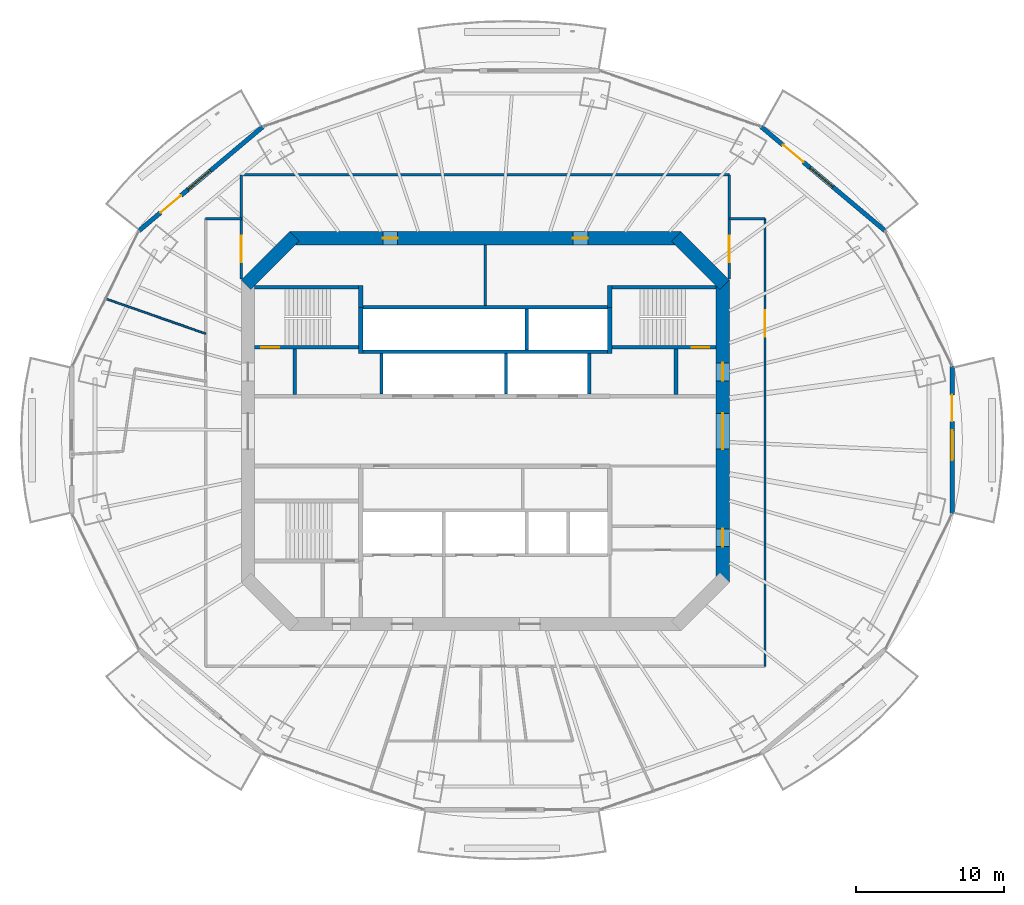
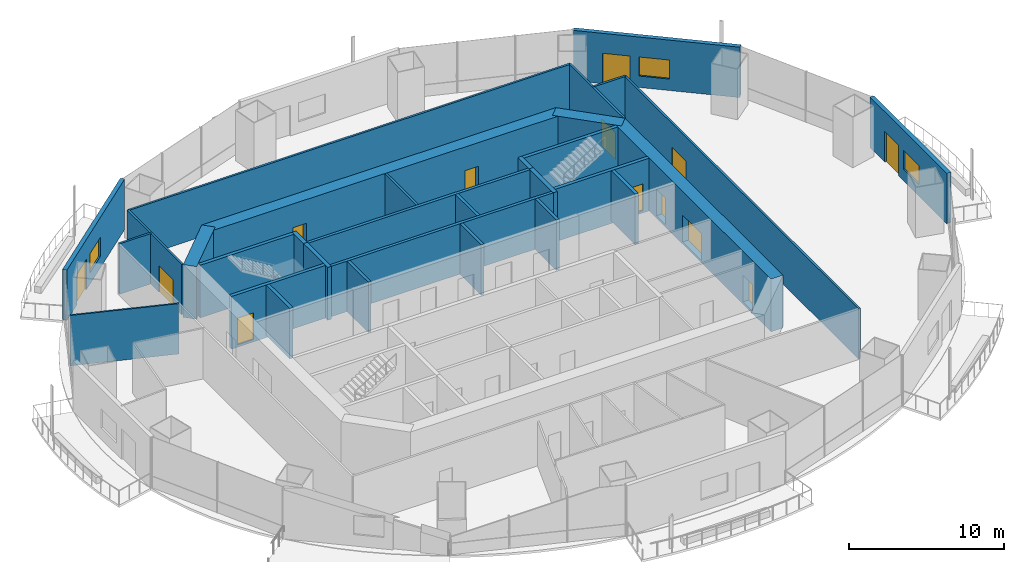
# One storey, part 12 of 19: 31 walls, 13 doors, 3 windows, 16 openings.
"""IFC4 building model written with IfcOpenShell, lengths in metres."""

from ifc_helpers import new_model, si_unit, direction, frame, frame_2d, origin, place, context, subcontext, project, spatial, rectangle, extrude, material, layer, layer_set, type_object, element, fill, save


model = new_model("IFC4")

# Units and contexts
model_context = context("Model", 3, precision=1e-05, world=origin(), true_north=direction((0.0, 1.0)))
body_context = subcontext(model_context, "Body", "Model", "MODEL_VIEW")
ifc_project = project(units=[si_unit("LENGTHUNIT", "METRE"), si_unit("AREAUNIT", "SQUARE_METRE"), si_unit("VOLUMEUNIT", "CUBIC_METRE"), si_unit("PLANEANGLEUNIT", "RADIAN"), si_unit("MASSUNIT", "GRAM", prefix="KILO")], contexts=[model_context])

# Site, building, storey
site_placement = place(None, origin())
site = spatial("IfcSite", under=ifc_project, at=site_placement, CompositionType="ELEMENT")
building_placement = place(site_placement, origin())
building = spatial("IfcBuilding", under=site, at=building_placement, Name="Marenthal Gate Tower", CompositionType="ELEMENT")
storey_placement = place(building_placement, frame((0.0, 0.0, 239.89990234375)))
storey = spatial("IfcBuildingStorey", under=building, at=storey_placement, Name="L53", CompositionType="ELEMENT", Elevation=239.89990234375)

# Wall, openings, doors
ifc_material_1 = material(Name="Concrete 60 MPa", Category="concrete")
ifc_layer_1 = layer(ifc_material_1, 0.89990234375)
ifc_layer_set_1 = layer_set([ifc_layer_1], Name="Core shear wall 900")
wall_type_1 = type_object("IfcWallType", Name="Core shear wall 900", PredefinedType="SHEAR", material=ifc_layer_set_1)
wall_1_placement = place(storey_placement, frame((16.0, -10.186279296875, -0.179931640625), z_axis=(0.0, 0.0, 1.0), x_axis=(0.0, 1.0, 0.0)))
wall_1 = element("IfcWall", 1, at=wall_1_placement, inside=storey, type_object=wall_type_1, Name="Core wall 02", PredefinedType="SHEAR", context=body_context, shape_type="SweptSolid", body=[
    extrude(rectangle(XDim=20.37255859375, YDim=0.89990234375, at=frame_2d((10.186279296875, 0.0))), origin(), (0.0, 0.0, 1.0), 4.150146484375),
])
opening_1_placement = place(wall_1_placement, frame((8.986328125, 0.0, 0.179931640625)))
opening_1 = element("IfcOpeningElement", 2, at=opening_1_placement, cuts=wall_1, Name="Opening D003.02", PredefinedType="OPENING", context=body_context, shape_type="SweptSolid", body=[
    extrude(rectangle(XDim=2.39990234375, YDim=2.10009765625, at=frame_2d((1.199951171875, 1.050048828125))), frame((0.0, 0.4599609375, 0.0), z_axis=(0.0, -1.0, 0.0), x_axis=(1.0, 0.0, 0.0)), (0.0, 0.0, 1.0), 0.919921875),
])
opening_2_placement = place(wall_1_placement, frame((13.58642578125, 0.0, 0.179931640625)))
opening_2 = element("IfcOpeningElement", 3, at=opening_2_placement, cuts=wall_1, Name="Opening D001.05", PredefinedType="OPENING", context=body_context, shape_type="SweptSolid", body=[
    extrude(rectangle(XDim=1.199951171875, YDim=2.10009765625, at=frame_2d((0.60009765625, 1.050048828125))), frame((0.0, 0.4599609375, 0.0), z_axis=(0.0, -1.0, 0.0), x_axis=(1.0, 0.0, 0.0)), (0.0, 0.0, 1.0), 0.919921875),
])
opening_3_placement = place(wall_1_placement, frame((2.39990234375, 0.0, 0.179931640625)))
opening_3 = element("IfcOpeningElement", 4, at=opening_3_placement, cuts=wall_1, Name="Opening D006.01", PredefinedType="OPENING", context=body_context, shape_type="SweptSolid", body=[
    extrude(rectangle(XDim=1.199951171875, YDim=2.10009765625, at=frame_2d((0.60009765625, 1.050048828125))), frame((0.0, 0.4599609375, 0.0), z_axis=(0.0, -1.0, 0.0), x_axis=(1.0, 0.0, 0.0)), (0.0, 0.0, 1.0), 0.919921875),
])
ifc_material_2 = material(Name="Steel fire door", Category="steel")
door_type_1 = type_object("IfcDoorType", Name="Double fire door FD 45 2400 x 2100", OperationType="DOUBLE_DOOR_SINGLE_SWING", PredefinedType="DOOR", material=ifc_material_2)
door_1_placement = place(opening_1_placement, origin())
door_1 = element("IfcDoor", 5, at=door_1_placement, inside=storey, type_object=door_type_1, Name="Door D003.02", OperationType="DOUBLE_DOOR_SINGLE_SWING", OverallHeight=2.10009765625, OverallWidth=2.39990234375, PredefinedType="DOOR", context=body_context, shape_type="SweptSolid", body=[
    extrude(rectangle(XDim=2.39990234375, YDim=2.10009765625, at=frame_2d((1.199951171875, 1.050048828125))), frame((0.0, 0.02490234375, 0.0), z_axis=(0.0, -1.0, 0.0), x_axis=(1.0, 0.0, 0.0)), (0.0, 0.0, 1.0), 0.050048828125),
])
fill(opening_1, door_1)
ifc_material_3 = material(Name="Steel fire door", Category="steel")
door_type_2 = type_object("IfcDoorType", Name="Fire door FD 45 1200 x 2100", OperationType="NOTDEFINED", PredefinedType="DOOR", material=ifc_material_3)
door_2_placement = place(opening_3_placement, origin())
door_2 = element("IfcDoor", 6, at=door_2_placement, inside=storey, type_object=door_type_2, Name="Door D006.01", OperationType="SINGLE_SWING_RIGHT", OverallHeight=2.10009765625, OverallWidth=1.199951171875, PredefinedType="DOOR", context=body_context, shape_type="SweptSolid", body=[
    extrude(rectangle(XDim=1.199951171875, YDim=2.10009765625, at=frame_2d((0.60009765625, 1.050048828125))), frame((0.0, 0.02490234375, 0.0), z_axis=(0.0, -1.0, 0.0), x_axis=(1.0, 0.0, 0.0)), (0.0, 0.0, 1.0), 0.050048828125),
])
fill(opening_3, door_2)
ifc_material_4 = material(Name="Steel fire door", Category="steel")
door_type_3 = type_object("IfcDoorType", Name="Fire door FD 90 1200 x 2100", OperationType="NOTDEFINED", PredefinedType="DOOR", material=ifc_material_4)
door_3_placement = place(opening_2_placement, origin())
door_3 = element("IfcDoor", 7, at=door_3_placement, inside=storey, type_object=door_type_3, Name="Door D001.05", OperationType="SINGLE_SWING_RIGHT", OverallHeight=2.10009765625, OverallWidth=1.199951171875, PredefinedType="DOOR", context=body_context, shape_type="SweptSolid", body=[
    extrude(rectangle(XDim=1.199951171875, YDim=2.10009765625, at=frame_2d((0.60009765625, 1.050048828125))), frame((0.0, 0.02490234375, 0.0), z_axis=(0.0, -1.0, 0.0), x_axis=(1.0, 0.0, 0.0)), (0.0, 0.0, 1.0), 0.050048828125),
])
fill(opening_2, door_3)

# Wall
wall_2_placement = place(storey_placement, frame((16.1318359375, 9.8681640625, -0.179931640625), z_axis=(0.0, 0.0, 1.0), x_axis=(-0.707106781187, 0.707106781187, 0.0)))
element("IfcWall", 8, at=wall_2_placement, inside=storey, type_object=wall_type_1, Name="Core wall 03", PredefinedType="SHEAR", context=body_context, shape_type="SweptSolid", body=[
    extrude(rectangle(XDim=4.615478515625, YDim=0.89990234375, at=frame_2d((2.3076171875, 0.0))), origin(), (0.0, 0.0, 1.0), 4.150146484375),
])

# Wall, openings, doors
wall_3_placement = place(storey_placement, frame((13.186279296875, 13.0, -0.179931640625), z_axis=(0.0, 0.0, 1.0), x_axis=(-1.0, 0.0, 0.0)))
wall_3 = element("IfcWall", 9, at=wall_3_placement, inside=storey, type_object=wall_type_1, Name="Core wall 04", PredefinedType="SHEAR", context=body_context, shape_type="SweptSolid", body=[
    extrude(rectangle(XDim=26.37255859375, YDim=0.89990234375, at=frame_2d((13.186279296875, 0.0))), origin(), (0.0, 0.0, 1.0), 4.150146484375),
])
opening_4_placement = place(wall_3_placement, frame((19.093505859375, 0.0, 0.179931640625)))
opening_4 = element("IfcOpeningElement", 10, at=opening_4_placement, cuts=wall_3, Name="Opening D005.03", PredefinedType="OPENING", context=body_context, shape_type="SweptSolid", body=[
    extrude(rectangle(XDim=1.0, YDim=2.10009765625, at=frame_2d((0.5, 1.050048828125))), frame((0.0, 0.4599609375, 0.0), z_axis=(0.0, -1.0, 0.0), x_axis=(1.0, 0.0, 0.0)), (0.0, 0.0, 1.0), 0.919921875),
])
opening_5_placement = place(wall_3_placement, frame((6.279296875, 0.0, 0.179931640625)))
opening_5 = element("IfcOpeningElement", 11, at=opening_5_placement, cuts=wall_3, Name="Opening D005.04", PredefinedType="OPENING", context=body_context, shape_type="SweptSolid", body=[
    extrude(rectangle(XDim=1.0, YDim=2.10009765625, at=frame_2d((0.5, 1.050048828125))), frame((0.0, 0.4599609375, 0.0), z_axis=(0.0, -1.0, 0.0), x_axis=(1.0, 0.0, 0.0)), (0.0, 0.0, 1.0), 0.919921875),
])
ifc_material_5 = material(Name="Steel fire door", Category="steel")
door_type_4 = type_object("IfcDoorType", Name="Fire door FD 45 1000 x 2100", OperationType="NOTDEFINED", PredefinedType="DOOR", material=ifc_material_5)
door_4_placement = place(opening_4_placement, origin())
door_4 = element("IfcDoor", 12, at=door_4_placement, inside=storey, type_object=door_type_4, Name="Door D005.03", OperationType="SINGLE_SWING_RIGHT", OverallHeight=2.10009765625, OverallWidth=1.0, PredefinedType="DOOR", context=body_context, shape_type="SweptSolid", body=[
    extrude(rectangle(XDim=1.0, YDim=2.10009765625, at=frame_2d((0.5, 1.050048828125))), frame((0.0, 0.02490234375, 0.0), z_axis=(0.0, -1.0, 0.0), x_axis=(1.0, 0.0, 0.0)), (0.0, 0.0, 1.0), 0.050048828125),
])
fill(opening_4, door_4)
door_5_placement = place(opening_5_placement, origin())
door_5 = element("IfcDoor", 13, at=door_5_placement, inside=storey, type_object=door_type_4, Name="Door D005.04", OperationType="SINGLE_SWING_RIGHT", OverallHeight=2.10009765625, OverallWidth=1.0, PredefinedType="DOOR", context=body_context, shape_type="SweptSolid", body=[
    extrude(rectangle(XDim=1.0, YDim=2.10009765625, at=frame_2d((0.5, 1.050048828125))), frame((0.0, 0.02490234375, 0.0), z_axis=(0.0, -1.0, 0.0), x_axis=(1.0, 0.0, 0.0)), (0.0, 0.0, 1.0), 0.050048828125),
])
fill(opening_5, door_5)

# Walls
wall_4_placement = place(storey_placement, frame((-12.8681640625, 13.1318359375, -0.179931640625), z_axis=(0.0, 0.0, 1.0), x_axis=(-0.707106781187, -0.707106781187, 0.0)))
element("IfcWall", 14, at=wall_4_placement, inside=storey, type_object=wall_type_1, Name="Core wall 05", PredefinedType="SHEAR", context=body_context, shape_type="SweptSolid", body=[
    extrude(rectangle(XDim=4.615478515625, YDim=0.89990234375, at=frame_2d((2.3076171875, 0.0))), origin(), (0.0, 0.0, 1.0), 4.150146484375),
])
ifc_material_6 = material(Name="Concrete 50 MPa", Category="concrete")
ifc_layer_2 = layer(ifc_material_6, 0.300048828125)
ifc_layer_set_2 = layer_set([ifc_layer_2], Name="Hoistway shear wall 300")
wall_type_2 = type_object("IfcWallType", Name="Hoistway shear wall 300", PredefinedType="SHEAR", material=ifc_layer_set_2)
for number, where, z_axis, x_axis, name in (
    (15, (-8.39990234375, 5.239990234375, -0.179931640625), (0.0, 0.0, 1.0), (0.0, 1.0, 0.0), "Hoistway wall 32"),
    (16, (8.39990234375, 5.239990234375, -0.179931640625), (0.0, 0.0, 1.0), (0.0, 1.0, 0.0), "Hoistway wall 46"),
):
    element("IfcWall", number, at=place(storey_placement, frame(where, z_axis=z_axis, x_axis=x_axis)), inside=storey, type_object=wall_type_2, Name=name, PredefinedType="SHEAR", context=body_context, shape_type="SweptSolid", body=[
        extrude(rectangle(XDim=3.110107421875, YDim=0.300048828125, at=frame_2d((1.55517578125, 0.0))), origin(), (0.0, 0.0, 1.0), 4.150146484375),
    ])
ifc_material_7 = material(Name="Concrete 40 MPa", Category="concrete")
ifc_layer_3 = layer(ifc_material_7, 0.219970703125)
ifc_layer_set_3 = layer_set([ifc_layer_3], Name="Hoistway wall 220")
wall_type_3 = type_object("IfcWallType", Name="Hoistway wall 220", PredefinedType="STANDARD", material=ifc_layer_set_3)
for number, where, z_axis, x_axis, name in (
    (17, (-8.25, 5.35009765625, 0.0), (0.0, 0.0, 1.0), (1.0, 0.0, 0.0), "Hoistway wall 22"),
    (18, (-8.25, 8.35009765625, 0.0), (0.0, 0.0, 1.0), (1.0, 0.0, 0.0), "Hoistway wall 25"),
):
    element("IfcWall", number, at=place(storey_placement, frame(where, z_axis=z_axis, x_axis=x_axis)), inside=storey, type_object=wall_type_3, Name=name, PredefinedType="STANDARD", context=body_context, shape_type="SweptSolid", body=[
        extrude(rectangle(XDim=16.5, YDim=0.219970703125, at=frame_2d((8.25, 0.0))), origin(), (0.0, 0.0, 1.0), 3.97021484375),
    ])
for number, where, z_axis, x_axis, name in (
    (19, (-7.0, 2.5, 0.0), (0.0, 0.0, 1.0), (0.0, 1.0, 0.0), "Hoistway wall 34"),
    (20, (1.39990234375, 2.5, 0.0), (0.0, 0.0, 1.0), (0.0, 1.0, 0.0), "Hoistway wall 38"),
):
    element("IfcWall", number, at=place(storey_placement, frame(where, z_axis=z_axis, x_axis=x_axis)), inside=storey, type_object=wall_type_3, Name=name, PredefinedType="STANDARD", context=body_context, shape_type="SweptSolid", body=[
        extrude(rectangle(XDim=2.739990234375, YDim=0.219970703125, at=frame_2d((1.3701171875, 0.0))), origin(), (0.0, 0.0, 1.0), 3.97021484375),
    ])
wall_5_placement = place(storey_placement, frame((2.800048828125, 5.4599609375, 0.0), z_axis=(0.0, 0.0, 1.0), x_axis=(0.0, 1.0, 0.0)))
element("IfcWall", 21, at=wall_5_placement, inside=storey, type_object=wall_type_3, Name="Hoistway wall 41", PredefinedType="STANDARD", context=body_context, shape_type="SweptSolid", body=[
    extrude(rectangle(XDim=2.780029296875, YDim=0.219970703125, at=frame_2d((1.39013671875, 0.0))), origin(), (0.0, 0.0, 1.0), 3.97021484375),
])
wall_6_placement = place(storey_placement, frame((7.0, 2.5, 0.0), z_axis=(0.0, 0.0, 1.0), x_axis=(0.0, 1.0, 0.0)))
element("IfcWall", 22, at=wall_6_placement, inside=storey, type_object=wall_type_3, Name="Hoistway wall 43", PredefinedType="STANDARD", context=body_context, shape_type="SweptSolid", body=[
    extrude(rectangle(XDim=2.739990234375, YDim=0.219970703125, at=frame_2d((1.3701171875, 0.0))), origin(), (0.0, 0.0, 1.0), 3.97021484375),
])
ifc_material_8 = material(Name="Gypsum board on steel studs", Category="steel")
ifc_layer_4 = layer(ifc_material_8, 0.1201171875)
ifc_layer_set_4 = layer_set([ifc_layer_4], Name="Partition 120")
wall_type_4 = type_object("IfcWallType", Name="Partition 120", PredefinedType="PARTITIONING", material=ifc_layer_set_4)
wall_7_placement = place(storey_placement, frame((-18.85009765625, 6.576171875, 0.0), z_axis=(0.0, 0.0, 1.0), x_axis=(-0.944186113953, 0.329412480362, 0.0)))
element("IfcWall", 23, at=wall_7_placement, inside=storey, type_object=wall_type_4, Name="Partition wall 53", PredefinedType="PARTITIONING", context=body_context, shape_type="SweptSolid", body=[
    extrude(rectangle(XDim=7.155029296875, YDim=0.1201171875, at=frame_2d((3.57763671875, 0.0))), origin(), (0.0, 0.0, 1.0), 3.97021484375),
])
ifc_material_9 = material(Name="Gypsum board on steel studs", Category="steel")
ifc_layer_5 = layer(ifc_material_9, 0.14990234375)
ifc_layer_set_5 = layer_set([ifc_layer_5], Name="Partition 150")
wall_type_5 = type_object("IfcWallType", Name="Partition 150", PredefinedType="PARTITIONING", material=ifc_layer_set_5)
wall_8_placement = place(storey_placement, frame((0.0, 8.4599609375, 0.0), z_axis=(0.0, 0.0, 1.0), x_axis=(0.0, 1.0, 0.0)))
element("IfcWall", 24, at=wall_8_placement, inside=storey, type_object=wall_type_5, Name="Partition wall 37", PredefinedType="PARTITIONING", context=body_context, shape_type="SweptSolid", body=[
    extrude(rectangle(XDim=4.090087890625, YDim=0.14990234375, at=frame_2d((2.044921875, 0.0))), origin(), (0.0, 0.0, 1.0), 3.97021484375),
])
wall_9_placement = place(storey_placement, frame((-18.85009765625, 14.325927734375, 0.0), z_axis=(0.0, 0.0, 1.0), x_axis=(1.0, 0.0, 0.0)))
element("IfcWall", 25, at=wall_9_placement, inside=storey, type_object=wall_type_5, Name="Partition wall 54", PredefinedType="PARTITIONING", context=body_context, shape_type="SweptSolid", body=[
    extrude(rectangle(XDim=2.400146484375, YDim=0.14990234375, at=frame_2d((1.2001953125, 0.0))), origin(), (0.0, 0.0, 1.0), 3.97021484375),
])

# Wall, opening, door
wall_10_placement = place(storey_placement, frame((-16.449951171875, 10.25, 0.0), z_axis=(0.0, 0.0, 1.0), x_axis=(0.0, 1.0, 0.0)))
wall_10 = element("IfcWall", 26, at=wall_10_placement, inside=storey, type_object=wall_type_5, Name="Partition wall 55", PredefinedType="PARTITIONING", context=body_context, shape_type="SweptSolid", body=[
    extrude(rectangle(XDim=7.03662109375, YDim=0.14990234375, at=frame_2d((3.518310546875, 0.0))), origin(), (0.0, 0.0, 1.0), 3.97021484375),
])
opening_6_placement = place(wall_10_placement, frame((1.137939453125, 0.0, 0.0)))
opening_6 = element("IfcOpeningElement", 27, at=opening_6_placement, cuts=wall_10, Name="Opening D014.03", PredefinedType="OPENING", context=body_context, shape_type="SweptSolid", body=[
    extrude(rectangle(XDim=1.800048828125, YDim=2.10009765625, at=frame_2d((0.89990234375, 1.050048828125))), frame((0.0, 0.0849609375, 0.0), z_axis=(0.0, -1.0, 0.0), x_axis=(1.0, 0.0, 0.0)), (0.0, 0.0, 1.0), 0.169921875),
])
ifc_material_10 = material(Name="Timber door", Category="wood")
door_type_5 = type_object("IfcDoorType", Name="Double door 1800 x 2100", OperationType="DOUBLE_DOOR_SINGLE_SWING", PredefinedType="DOOR", material=ifc_material_10)
door_6_placement = place(opening_6_placement, origin())
door_6 = element("IfcDoor", 28, at=door_6_placement, inside=storey, type_object=door_type_5, Name="Door D014.03", OperationType="DOUBLE_DOOR_SINGLE_SWING", OverallHeight=2.10009765625, OverallWidth=1.800048828125, PredefinedType="DOOR", context=body_context, shape_type="SweptSolid", body=[
    extrude(rectangle(XDim=1.800048828125, YDim=2.10009765625, at=frame_2d((0.89990234375, 1.050048828125))), frame((0.0, 0.02490234375, 0.0), z_axis=(0.0, -1.0, 0.0), x_axis=(1.0, 0.0, 0.0)), (0.0, 0.0, 1.0), 0.050048828125),
])
fill(opening_6, door_6)

# Wall
wall_11_placement = place(storey_placement, frame((-16.449951171875, 17.28662109375, 0.0), z_axis=(0.0, 0.0, 1.0), x_axis=(1.0, 0.0, 0.0)))
element("IfcWall", 29, at=wall_11_placement, inside=storey, type_object=wall_type_5, Name="Partition wall 56", PredefinedType="PARTITIONING", context=body_context, shape_type="SweptSolid", body=[
    extrude(rectangle(XDim=32.89990234375, YDim=0.14990234375, at=frame_2d((16.449951171875, 0.0))), origin(), (0.0, 0.0, 1.0), 3.97021484375),
])

# Wall, opening, door
wall_12_placement = place(storey_placement, frame((16.449951171875, 10.25, 0.0), z_axis=(0.0, 0.0, 1.0), x_axis=(0.0, 1.0, 0.0)))
wall_12 = element("IfcWall", 30, at=wall_12_placement, inside=storey, type_object=wall_type_5, Name="Partition wall 64", PredefinedType="PARTITIONING", context=body_context, shape_type="SweptSolid", body=[
    extrude(rectangle(XDim=7.03662109375, YDim=0.14990234375, at=frame_2d((3.518310546875, 0.0))), origin(), (0.0, 0.0, 1.0), 3.97021484375),
])
opening_7_placement = place(wall_12_placement, frame((1.137939453125, 0.0, 0.0)))
opening_7 = element("IfcOpeningElement", 31, at=opening_7_placement, cuts=wall_12, Name="Opening D014.04", PredefinedType="OPENING", context=body_context, shape_type="SweptSolid", body=[
    extrude(rectangle(XDim=1.800048828125, YDim=2.10009765625, at=frame_2d((0.89990234375, 1.050048828125))), frame((0.0, 0.0849609375, 0.0), z_axis=(0.0, -1.0, 0.0), x_axis=(1.0, 0.0, 0.0)), (0.0, 0.0, 1.0), 0.169921875),
])
door_7_placement = place(opening_7_placement, origin())
door_7 = element("IfcDoor", 32, at=door_7_placement, inside=storey, type_object=door_type_5, Name="Door D014.04", OperationType="DOUBLE_DOOR_SINGLE_SWING", OverallHeight=2.10009765625, OverallWidth=1.800048828125, PredefinedType="DOOR", context=body_context, shape_type="SweptSolid", body=[
    extrude(rectangle(XDim=1.800048828125, YDim=2.10009765625, at=frame_2d((0.89990234375, 1.050048828125))), frame((0.0, 0.02490234375, 0.0), z_axis=(0.0, -1.0, 0.0), x_axis=(1.0, 0.0, 0.0)), (0.0, 0.0, 1.0), 0.050048828125),
])
fill(opening_7, door_7)

# Wall
wall_13_placement = place(storey_placement, frame((16.449951171875, 14.325927734375, 0.0), z_axis=(0.0, 0.0, 1.0), x_axis=(1.0, 0.0, 0.0)))
element("IfcWall", 33, at=wall_13_placement, inside=storey, type_object=wall_type_5, Name="Partition wall 65", PredefinedType="PARTITIONING", context=body_context, shape_type="SweptSolid", body=[
    extrude(rectangle(XDim=2.400146484375, YDim=0.14990234375, at=frame_2d((1.2001953125, 0.0))), origin(), (0.0, 0.0, 1.0), 3.97021484375),
])

# Wall, opening, door
wall_14_placement = place(storey_placement, frame((18.85009765625, 14.325927734375, 0.0), z_axis=(0.0, 0.0, 1.0), x_axis=(0.0, -1.0, 0.0)))
wall_14 = element("IfcWall", 34, at=wall_14_placement, inside=storey, type_object=wall_type_5, Name="Partition wall 67", PredefinedType="PARTITIONING", context=body_context, shape_type="SweptSolid", body=[
    extrude(rectangle(XDim=30.176025390625, YDim=0.14990234375, at=frame_2d((15.087890625, 0.0))), origin(), (0.0, 0.0, 1.0), 3.97021484375),
])
opening_8_placement = place(wall_14_placement, frame((6.156982421875, 0.0, 0.0)))
opening_8 = element("IfcOpeningElement", 35, at=opening_8_placement, cuts=wall_14, Name="Opening D014.02", PredefinedType="OPENING", context=body_context, shape_type="SweptSolid", body=[
    extrude(rectangle(XDim=1.800048828125, YDim=2.10009765625, at=frame_2d((0.89990234375, 1.050048828125))), frame((0.0, 0.0849609375, 0.0), z_axis=(0.0, -1.0, 0.0), x_axis=(1.0, 0.0, 0.0)), (0.0, 0.0, 1.0), 0.169921875),
])
door_8_placement = place(opening_8_placement, origin())
door_8 = element("IfcDoor", 36, at=door_8_placement, inside=storey, type_object=door_type_5, Name="Door D014.02", OperationType="DOUBLE_DOOR_SINGLE_SWING", OverallHeight=2.10009765625, OverallWidth=1.800048828125, PredefinedType="DOOR", context=body_context, shape_type="SweptSolid", body=[
    extrude(rectangle(XDim=1.800048828125, YDim=2.10009765625, at=frame_2d((0.89990234375, 1.050048828125))), frame((0.0, 0.02490234375, 0.0), z_axis=(0.0, -1.0, 0.0), x_axis=(1.0, 0.0, 0.0)), (0.0, 0.0, 1.0), 0.050048828125),
])
fill(opening_8, door_8)

# Walls
ifc_material_11 = material(Name="Concrete 40 MPa", Category="concrete")
ifc_layer_6 = layer(ifc_material_11, 0.25)
ifc_layer_set_6 = layer_set([ifc_layer_6], Name="Stair enclosure wall 250")
wall_type_6 = type_object("IfcWallType", Name="Stair enclosure wall 250", PredefinedType="STANDARD", material=ifc_layer_set_6)
for number, where, z_axis, x_axis, name in (
    (37, (-12.85009765625, 2.47509765625, 0.0), (0.0, 0.0, 1.0), (0.0, 1.0, 0.0), "Stair wall 28"),
    (38, (12.85009765625, 2.47509765625, 0.0), (0.0, 0.0, 1.0), (0.0, 1.0, 0.0), "Stair wall 48"),
):
    element("IfcWall", number, at=place(storey_placement, frame(where, z_axis=z_axis, x_axis=x_axis)), inside=storey, type_object=wall_type_6, Name=name, PredefinedType="STANDARD", context=body_context, shape_type="SweptSolid", body=[
        extrude(rectangle(XDim=3.0498046875, YDim=0.25, at=frame_2d((1.52490234375, 0.0))), origin(), (0.0, 0.0, 1.0), 3.97021484375),
    ])

# Wall, opening, door
ifc_material_12 = material(Name="Concrete 50 MPa", Category="concrete")
ifc_layer_7 = layer(ifc_material_12, 0.25)
ifc_layer_set_7 = layer_set([ifc_layer_7], Name="Stair shear wall 250")
wall_type_7 = type_object("IfcWallType", Name="Stair shear wall 250", PredefinedType="SHEAR", material=ifc_layer_set_7)
wall_15_placement = place(storey_placement, frame((-15.550048828125, 5.64990234375, -0.179931640625), z_axis=(0.0, 0.0, 1.0), x_axis=(1.0, 0.0, 0.0)))
wall_15 = element("IfcWall", 39, at=wall_15_placement, inside=storey, type_object=wall_type_7, Name="Stair wall 23", PredefinedType="SHEAR", context=body_context, shape_type="SweptSolid", body=[
    extrude(rectangle(XDim=7.0, YDim=0.25, at=frame_2d((3.5, 0.0))), origin(), (0.0, 0.0, 1.0), 4.150146484375),
])
opening_9_placement = place(wall_15_placement, frame((0.449951171875, 0.0, 0.179931640625)))
opening_9 = element("IfcOpeningElement", 40, at=opening_9_placement, cuts=wall_15, Name="Opening D001.01", PredefinedType="OPENING", context=body_context, shape_type="SweptSolid", body=[
    extrude(rectangle(XDim=1.199951171875, YDim=2.10009765625, at=frame_2d((0.60009765625, 1.050048828125))), frame((0.0, 0.135009765625, 0.0), z_axis=(0.0, -1.0, 0.0), x_axis=(1.0, 0.0, 0.0)), (0.0, 0.0, 1.0), 0.27001953125),
])
door_9_placement = place(opening_9_placement, origin())
door_9 = element("IfcDoor", 41, at=door_9_placement, inside=storey, type_object=door_type_3, Name="Door D001.01", OperationType="SINGLE_SWING_RIGHT", OverallHeight=2.10009765625, OverallWidth=1.199951171875, PredefinedType="DOOR", context=body_context, shape_type="SweptSolid", body=[
    extrude(rectangle(XDim=1.199951171875, YDim=2.10009765625, at=frame_2d((0.60009765625, 1.050048828125))), frame((0.0, 0.02490234375, 0.0), z_axis=(0.0, -1.0, 0.0), x_axis=(1.0, 0.0, 0.0)), (0.0, 0.0, 1.0), 0.050048828125),
])
fill(opening_9, door_9)

wall_16_placement = place(storey_placement, frame((8.550048828125, 5.64990234375, -0.179931640625), z_axis=(0.0, 0.0, 1.0), x_axis=(1.0, 0.0, 0.0)))
wall_16 = element("IfcWall", 42, at=wall_16_placement, inside=storey, type_object=wall_type_7, Name="Stair wall 24", PredefinedType="SHEAR", context=body_context, shape_type="SweptSolid", body=[
    extrude(rectangle(XDim=7.0, YDim=0.25, at=frame_2d((3.5, 0.0))), origin(), (0.0, 0.0, 1.0), 4.150146484375),
])
opening_10_placement = place(wall_16_placement, frame((5.35009765625, 0.0, 0.179931640625)))
opening_10 = element("IfcOpeningElement", 43, at=opening_10_placement, cuts=wall_16, Name="Opening D001.02", PredefinedType="OPENING", context=body_context, shape_type="SweptSolid", body=[
    extrude(rectangle(XDim=1.199951171875, YDim=2.10009765625, at=frame_2d((0.60009765625, 1.050048828125))), frame((0.0, 0.135009765625, 0.0), z_axis=(0.0, -1.0, 0.0), x_axis=(1.0, 0.0, 0.0)), (0.0, 0.0, 1.0), 0.27001953125),
])
door_10_placement = place(opening_10_placement, origin())
door_10 = element("IfcDoor", 44, at=door_10_placement, inside=storey, type_object=door_type_3, Name="Door D001.02", OperationType="SINGLE_SWING_RIGHT", OverallHeight=2.10009765625, OverallWidth=1.199951171875, PredefinedType="DOOR", context=body_context, shape_type="SweptSolid", body=[
    extrude(rectangle(XDim=1.199951171875, YDim=2.10009765625, at=frame_2d((0.60009765625, 1.050048828125))), frame((0.0, 0.02490234375, 0.0), z_axis=(0.0, -1.0, 0.0), x_axis=(1.0, 0.0, 0.0)), (0.0, 0.0, 1.0), 0.050048828125),
])
fill(opening_10, door_10)

# Walls
for number, where, z_axis, x_axis, name in (
    (45, (-15.550048828125, 9.699951171875, -0.179931640625), (0.0, 0.0, 1.0), (1.0, 0.0, 0.0), "Stair wall 26"),
    (46, (8.550048828125, 9.699951171875, -0.179931640625), (0.0, 0.0, 1.0), (1.0, 0.0, 0.0), "Stair wall 27"),
):
    element("IfcWall", number, at=place(storey_placement, frame(where, z_axis=z_axis, x_axis=x_axis)), inside=storey, type_object=wall_type_7, Name=name, PredefinedType="SHEAR", context=body_context, shape_type="SweptSolid", body=[
        extrude(rectangle(XDim=7.0, YDim=0.25, at=frame_2d((3.5, 0.0))), origin(), (0.0, 0.0, 1.0), 4.150146484375),
    ])
ifc_material_13 = material(Name="Concrete 50 MPa", Category="concrete")
ifc_layer_8 = layer(ifc_material_13, 0.300048828125)
ifc_layer_set_8 = layer_set([ifc_layer_8], Name="Stair shear wall 300")
wall_type_8 = type_object("IfcWallType", Name="Stair shear wall 300", PredefinedType="SHEAR", material=ifc_layer_set_8)
for number, where, z_axis, x_axis, name in (
    (47, (-8.39990234375, 8.35009765625, -0.179931640625), (0.0, 0.0, 1.0), (0.0, 1.0, 0.0), "Stair wall 33"),
    (48, (8.39990234375, 8.35009765625, -0.179931640625), (0.0, 0.0, 1.0), (0.0, 1.0, 0.0), "Stair wall 47"),
):
    element("IfcWall", number, at=place(storey_placement, frame(where, z_axis=z_axis, x_axis=x_axis)), inside=storey, type_object=wall_type_8, Name=name, PredefinedType="SHEAR", context=body_context, shape_type="SweptSolid", body=[
        extrude(rectangle(XDim=1.474853515625, YDim=0.300048828125, at=frame_2d((0.7373046875, 0.0))), origin(), (0.0, 0.0, 1.0), 4.150146484375),
    ])

# Wall, openings, door, window
ifc_material_14 = material(Name="Terracotta cladding on insulated concrete-block backing", Category="masonry")
ifc_layer_9 = layer(ifc_material_14, 0.300048828125)
ifc_layer_set_9 = layer_set([ifc_layer_9], Name="Terracotta facade wall 300")
wall_type_9 = type_object("IfcWallType", Name="Terracotta facade wall 300", PredefinedType="SOLIDWALL", material=ifc_layer_set_9)
wall_17_placement = place(storey_placement, frame((26.94775390625, 13.510986328125, 0.0), z_axis=(0.0, 0.0, 1.0), x_axis=(-0.765786072148, 0.643095398603, 0.0)))
wall_17 = element("IfcWall", 49, at=wall_17_placement, inside=storey, type_object=wall_type_9, Name="Terracotta facade wall L53 bay 2", PredefinedType="SOLIDWALL", context=body_context, shape_type="SweptSolid", body=[
    extrude(rectangle(XDim=10.896728515625, YDim=0.300048828125, at=frame_2d((5.4482421875, 0.0))), origin(), (0.0, 0.0, 1.0), 3.97021484375),
])
opening_11_placement = place(wall_17_placement, frame((7.19677734375, 0.0, 0.0)))
opening_11 = element("IfcOpeningElement", 50, at=opening_11_placement, cuts=wall_17, Name="Opening BD-L53-02", PredefinedType="OPENING", context=body_context, shape_type="SweptSolid", body=[
    extrude(rectangle(XDim=1.800048828125, YDim=2.39990234375, at=frame_2d((0.89990234375, 1.199951171875))), frame((0.0, 0.16015625, 0.0), z_axis=(0.0, -1.0, 0.0), x_axis=(1.0, 0.0, 0.0)), (0.0, 0.0, 1.0), 0.320068359375),
])
opening_12_placement = place(wall_17_placement, frame((4.5966796875, 0.0, 0.89990234375)))
opening_12 = element("IfcOpeningElement", 51, at=opening_12_placement, cuts=wall_17, Name="Opening WN2-L53-02", PredefinedType="OPENING", context=body_context, shape_type="SweptSolid", body=[
    extrude(rectangle(XDim=2.0, YDim=1.5, at=frame_2d((1.0, 0.75))), frame((0.0, 0.16015625, 0.0), z_axis=(0.0, -1.0, 0.0), x_axis=(1.0, 0.0, 0.0)), (0.0, 0.0, 1.0), 0.320068359375),
])
ifc_material_15 = material(Name="Aluminium and glass", Category="aluminium")
door_type_6 = type_object("IfcDoorType", Name="Balcony door 1800x2400", OperationType="DOUBLE_DOOR_SINGLE_SWING", PredefinedType="DOOR", material=ifc_material_15)
door_11_placement = place(opening_11_placement, origin())
door_11 = element("IfcDoor", 52, at=door_11_placement, inside=storey, type_object=door_type_6, Name="Balcony door L53 bay 2", OperationType="SINGLE_SWING_LEFT", OverallHeight=2.39990234375, OverallWidth=1.800048828125, PredefinedType="DOOR", context=body_context, shape_type="SweptSolid", body=[
    extrude(rectangle(XDim=1.800048828125, YDim=2.39990234375, at=frame_2d((0.89990234375, 1.199951171875))), frame((0.0, 0.02490234375, 0.0), z_axis=(0.0, -1.0, 0.0), x_axis=(1.0, 0.0, 0.0)), (0.0, 0.0, 1.0), 0.050048828125),
])
fill(opening_11, door_11)
ifc_material_16 = material(Name="Aluminium and glass", Category="aluminium")
window_type = type_object("IfcWindowType", Name="Window 2000x1500", PartitioningType="DOUBLE_PANEL_VERTICAL", PredefinedType="WINDOW", material=ifc_material_16)
window_1_placement = place(opening_12_placement, origin())
window_1 = element("IfcWindow", 53, at=window_1_placement, inside=storey, type_object=window_type, Name="Window L53 bay 2", OverallHeight=1.5, OverallWidth=2.0, PartitioningType="SINGLE_PANEL", PredefinedType="WINDOW", context=body_context, shape_type="SweptSolid", body=[
    extrude(rectangle(XDim=2.0, YDim=1.5, at=frame_2d((1.0, 0.75))), frame((0.0, 0.030029296875, 0.0), z_axis=(0.0, -1.0, 0.0), x_axis=(1.0, 0.0, 0.0)), (0.0, 0.0, 1.0), 0.06005859375),
])
fill(opening_12, window_1)

wall_18_placement = place(storey_placement, frame((-15.003173828125, 20.5185546875, 0.0), z_axis=(0.0, 0.0, 1.0), x_axis=(-0.765786072148, -0.643095398603, 0.0)))
wall_18 = element("IfcWall", 54, at=wall_18_placement, inside=storey, type_object=wall_type_9, Name="Terracotta facade wall L53 bay 6", PredefinedType="SOLIDWALL", context=body_context, shape_type="SweptSolid", body=[
    extrude(rectangle(XDim=10.896728515625, YDim=0.300048828125, at=frame_2d((5.4482421875, 0.0))), origin(), (0.0, 0.0, 1.0), 3.97021484375),
])
opening_13_placement = place(wall_18_placement, frame((7.19677734375, 0.0, 0.0)))
opening_13 = element("IfcOpeningElement", 55, at=opening_13_placement, cuts=wall_18, Name="Opening BD-L53-06", PredefinedType="OPENING", context=body_context, shape_type="SweptSolid", body=[
    extrude(rectangle(XDim=1.800048828125, YDim=2.39990234375, at=frame_2d((0.89990234375, 1.199951171875))), frame((0.0, 0.16015625, 0.0), z_axis=(0.0, -1.0, 0.0), x_axis=(1.0, 0.0, 0.0)), (0.0, 0.0, 1.0), 0.320068359375),
])
opening_14_placement = place(wall_18_placement, frame((4.5966796875, 0.0, 0.89990234375)))
opening_14 = element("IfcOpeningElement", 56, at=opening_14_placement, cuts=wall_18, Name="Opening WN2-L53-06", PredefinedType="OPENING", context=body_context, shape_type="SweptSolid", body=[
    extrude(rectangle(XDim=2.0, YDim=1.5, at=frame_2d((1.0, 0.75))), frame((0.0, 0.16015625, 0.0), z_axis=(0.0, -1.0, 0.0), x_axis=(1.0, 0.0, 0.0)), (0.0, 0.0, 1.0), 0.320068359375),
])
door_12_placement = place(opening_13_placement, origin())
door_12 = element("IfcDoor", 57, at=door_12_placement, inside=storey, type_object=door_type_6, Name="Balcony door L53 bay 6", OperationType="SINGLE_SWING_LEFT", OverallHeight=2.39990234375, OverallWidth=1.800048828125, PredefinedType="DOOR", context=body_context, shape_type="SweptSolid", body=[
    extrude(rectangle(XDim=1.800048828125, YDim=2.39990234375, at=frame_2d((0.89990234375, 1.199951171875))), frame((0.0, 0.02490234375, 0.0), z_axis=(0.0, -1.0, 0.0), x_axis=(1.0, 0.0, 0.0)), (0.0, 0.0, 1.0), 0.050048828125),
])
fill(opening_13, door_12)
window_2_placement = place(opening_14_placement, origin())
window_2 = element("IfcWindow", 58, at=window_2_placement, inside=storey, type_object=window_type, Name="Window L53 bay 6", OverallHeight=1.5, OverallWidth=2.0, PartitioningType="SINGLE_PANEL", PredefinedType="WINDOW", context=body_context, shape_type="SweptSolid", body=[
    extrude(rectangle(XDim=2.0, YDim=1.5, at=frame_2d((1.0, 0.75))), frame((0.0, 0.030029296875, 0.0), z_axis=(0.0, -1.0, 0.0), x_axis=(1.0, 0.0, 0.0)), (0.0, 0.0, 1.0), 0.06005859375),
])
fill(opening_14, window_2)

wall_19_placement = place(storey_placement, frame((31.4638671875, -5.55517578125, 0.0), z_axis=(0.0, 0.0, 1.0), x_axis=(0.0, 1.0, 0.0)))
wall_19 = element("IfcWall", 59, at=wall_19_placement, inside=storey, type_object=wall_type_9, Name="Terracotta facade wall L53 bay 16", PredefinedType="SOLIDWALL", context=body_context, shape_type="SweptSolid", body=[
    extrude(rectangle(XDim=9.91015625, YDim=0.300048828125, at=frame_2d((4.955078125, 0.0))), origin(), (0.0, 0.0, 1.0), 3.97021484375),
])
opening_15_placement = place(wall_19_placement, frame((6.210205078125, 0.0, 0.0)))
opening_15 = element("IfcOpeningElement", 60, at=opening_15_placement, cuts=wall_19, Name="Opening BD-L53-16", PredefinedType="OPENING", context=body_context, shape_type="SweptSolid", body=[
    extrude(rectangle(XDim=1.800048828125, YDim=2.39990234375, at=frame_2d((0.89990234375, 1.199951171875))), frame((0.0, 0.16015625, 0.0), z_axis=(0.0, -1.0, 0.0), x_axis=(1.0, 0.0, 0.0)), (0.0, 0.0, 1.0), 0.320068359375),
])
opening_16_placement = place(wall_19_placement, frame((3.610107421875, 0.0, 0.89990234375)))
opening_16 = element("IfcOpeningElement", 61, at=opening_16_placement, cuts=wall_19, Name="Opening WN2-L53-16", PredefinedType="OPENING", context=body_context, shape_type="SweptSolid", body=[
    extrude(rectangle(XDim=2.0, YDim=1.5, at=frame_2d((1.0, 0.75))), frame((0.0, 0.16015625, 0.0), z_axis=(0.0, -1.0, 0.0), x_axis=(1.0, 0.0, 0.0)), (0.0, 0.0, 1.0), 0.320068359375),
])
door_13_placement = place(opening_15_placement, origin())
door_13 = element("IfcDoor", 62, at=door_13_placement, inside=storey, type_object=door_type_6, Name="Balcony door L53 bay 16", OperationType="SINGLE_SWING_LEFT", OverallHeight=2.39990234375, OverallWidth=1.800048828125, PredefinedType="DOOR", context=body_context, shape_type="SweptSolid", body=[
    extrude(rectangle(XDim=1.800048828125, YDim=2.39990234375, at=frame_2d((0.89990234375, 1.199951171875))), frame((0.0, 0.02490234375, 0.0), z_axis=(0.0, -1.0, 0.0), x_axis=(1.0, 0.0, 0.0)), (0.0, 0.0, 1.0), 0.050048828125),
])
fill(opening_15, door_13)
window_3_placement = place(opening_16_placement, origin())
window_3 = element("IfcWindow", 63, at=window_3_placement, inside=storey, type_object=window_type, Name="Window L53 bay 16", OverallHeight=1.5, OverallWidth=2.0, PartitioningType="SINGLE_PANEL", PredefinedType="WINDOW", context=body_context, shape_type="SweptSolid", body=[
    extrude(rectangle(XDim=2.0, YDim=1.5, at=frame_2d((1.0, 0.75))), frame((0.0, 0.030029296875, 0.0), z_axis=(0.0, -1.0, 0.0), x_axis=(1.0, 0.0, 0.0)), (0.0, 0.0, 1.0), 0.06005859375),
])
fill(opening_16, window_3)

save(model, "model.ifc")
